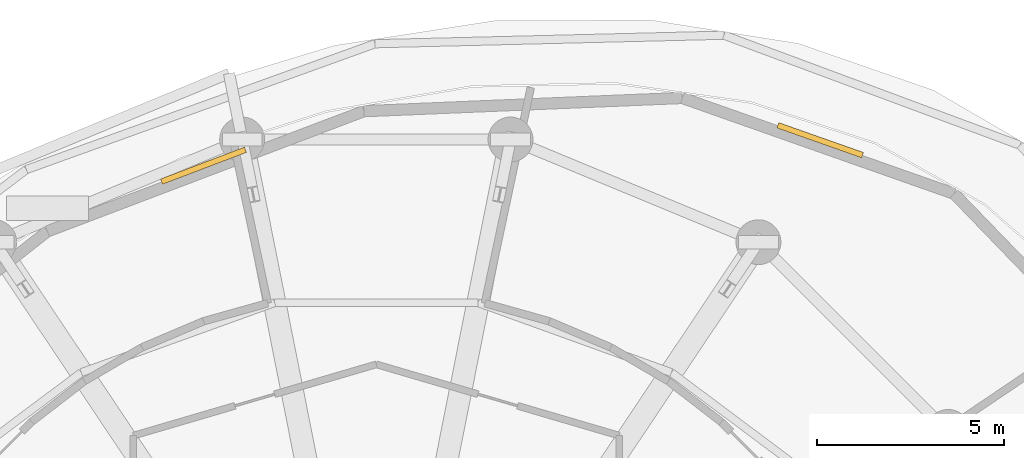
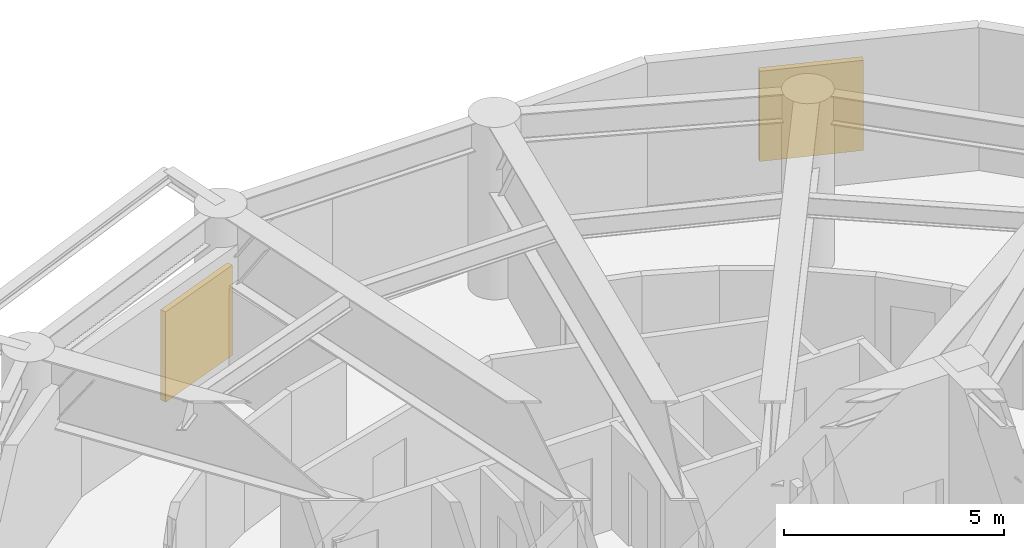
# One storey, part 7 of 7: 2 shading devices.
"""IFC4 building model written with IfcOpenShell, lengths in metres."""

from ifc_helpers import new_model, si_unit, direction, frame, origin, origin_2d, place, context, subcontext, project, spatial, rectangle, extrude, material, layer, layer_set, type_object, element, save


model = new_model("IFC4")

# Units and contexts
model_context = context("Model", 3, precision=1e-05, world=origin(), true_north=direction((0.0, 1.0)))
body_context = subcontext(model_context, "Body", "Model", "MODEL_VIEW")
ifc_project = project(units=[si_unit("LENGTHUNIT", "METRE"), si_unit("AREAUNIT", "SQUARE_METRE"), si_unit("VOLUMEUNIT", "CUBIC_METRE"), si_unit("PLANEANGLEUNIT", "RADIAN"), si_unit("MASSUNIT", "GRAM", prefix="KILO"), si_unit("THERMODYNAMICTEMPERATUREUNIT", "KELVIN"), si_unit("POWERUNIT", "WATT")], contexts=[model_context])

# Site, building, storey
site_placement = place(None, origin())
site = spatial("IfcSite", under=ifc_project, at=site_placement, CompositionType="ELEMENT")
building_placement = place(site_placement, origin())
building = spatial("IfcBuilding", under=site, at=building_placement, Name="Ocrelia Relay Tower", CompositionType="ELEMENT")
storey_placement = place(building_placement, frame((0.0, 0.0, 157.800048828125)))
storey = spatial("IfcBuildingStorey", under=building, at=storey_placement, Name="L37", CompositionType="ELEMENT", Elevation=157.800048828125)

# Shading devices
ifc_material = material(Name="Acoustic bronze-terracotta aluminium louvre", Category="masonry")
ifc_layer = layer(ifc_material, 0.14990234375, Name="Acoustic bronze-terracotta aluminium louvre")
ifc_layer_set = layer_set([ifc_layer], Name="Acoustic bronze-terracotta aluminium louvre")
shading_device_type = type_object("IfcShadingDeviceType", Name="SH-PLANT-LOUVRE", PredefinedType="JALOUSIE", material=ifc_layer_set)
for number, where, z_axis, x_axis, name in (
    (1, (45.87451171875, 44.0263671875, 0.72998046875), (0.0, 0.0, 1.0), (-0.94314729575, 0.332375057007, 0.0), "L37 High-Altitude Plant Intake Louvre 02"),
    (2, (29.376220703125, 43.3447265625, 0.72998046875), (0.0, 0.0, 1.0), (-0.934838118311, -0.355074207108, 0.0), "L37 High-Altitude Plant Intake Louvre 04"),
):
    element("IfcShadingDevice", number, at=place(storey_placement, frame(where, z_axis=z_axis, x_axis=x_axis)), inside=storey, type_object=shading_device_type, Name=name, PredefinedType="JALOUSIE", context=body_context, shape_type="SweptSolid", body=[
        extrude(rectangle(XDim=2.39990234375, YDim=0.14990234375, at=origin_2d()), origin(), (0.0, 0.0, 1.0), 2.5),
    ])

save(model, "model.ifc")
